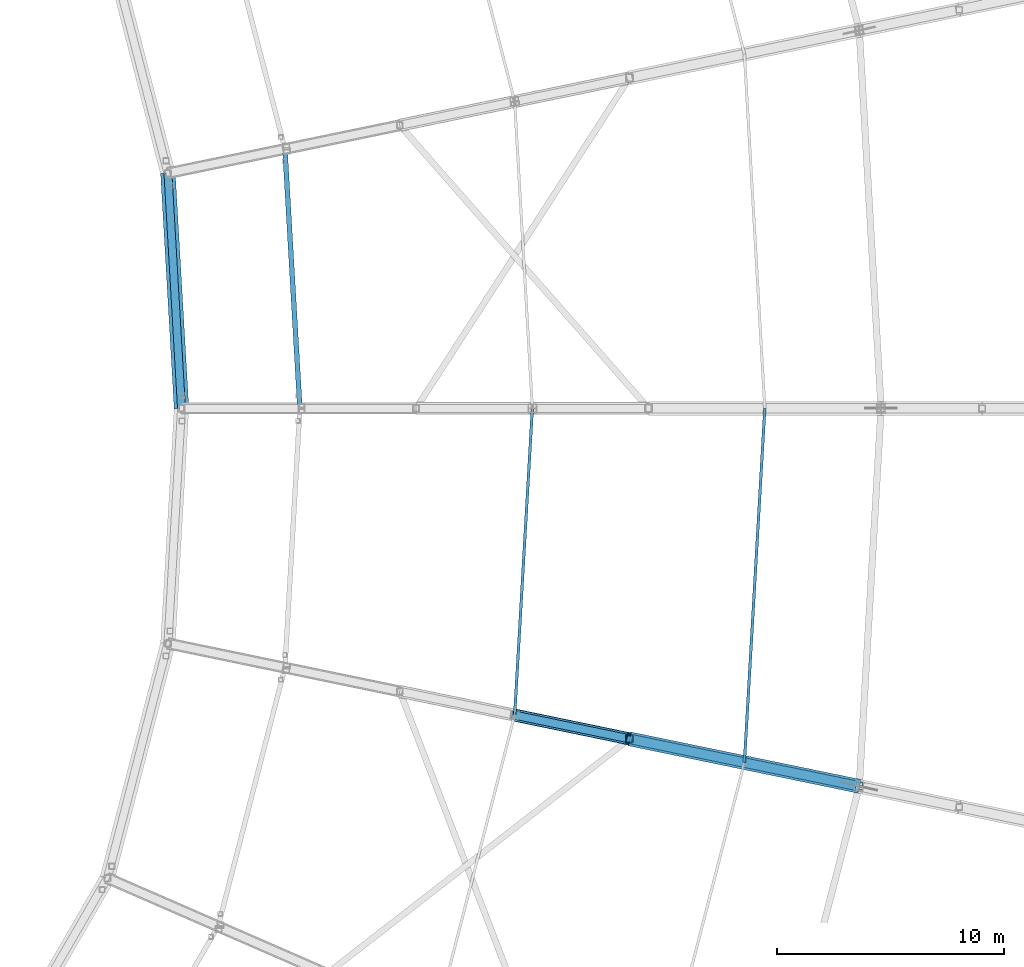
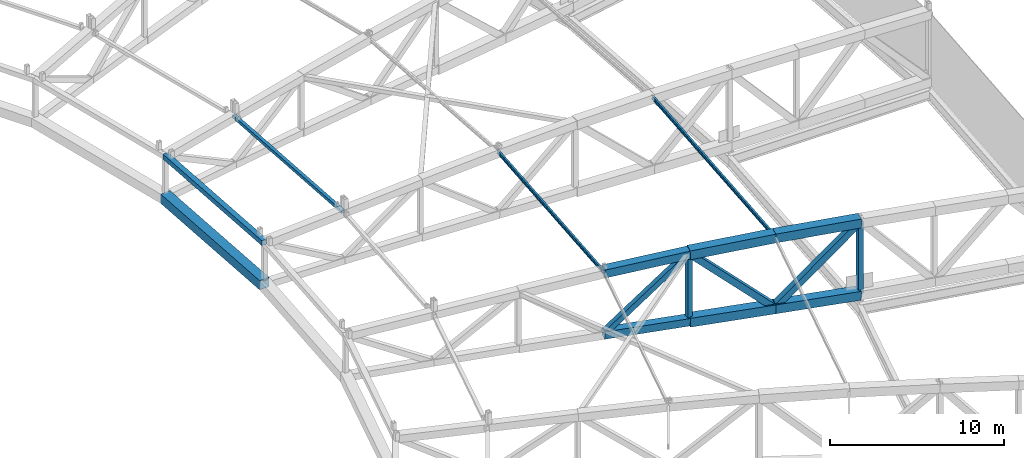
# One storey, part 56 of 162: 16 members.
"""IFC4 building model written with IfcOpenShell, lengths in metres."""

from ifc_helpers import new_model, si_unit, direction, frame, origin, origin_2d, place, context, subcontext, project, spatial, hollow_rectangle, i_section, extrude, material, material_profile, profile_set, type_object, element, save


model = new_model("IFC4")

# Units and contexts
model_context = context("Model", 3, precision=1e-05, world=origin(), true_north=direction((0.0, 1.0)))
body_context = subcontext(model_context, "Body", "Model", "MODEL_VIEW")
ifc_project = project(units=[si_unit("LENGTHUNIT", "METRE"), si_unit("AREAUNIT", "SQUARE_METRE"), si_unit("VOLUMEUNIT", "CUBIC_METRE"), si_unit("PLANEANGLEUNIT", "RADIAN"), si_unit("MASSUNIT", "GRAM", prefix="KILO")], contexts=[model_context])

# Site, building, storey
site_placement = place(None, origin())
site = spatial("IfcSite", under=ifc_project, at=site_placement, CompositionType="ELEMENT")
building_placement = place(site_placement, origin())
building = spatial("IfcBuilding", under=site, at=building_placement, Name="Kazemori Nagisa Stadium", CompositionType="ELEMENT")
storey_placement = place(building_placement, frame((0.0, 0.0, 36.719970703125)))
storey = spatial("IfcBuildingStorey", under=building, at=storey_placement, Name="RF", CompositionType="ELEMENT", Elevation=36.719970703125)

# Members
ifc_material_1 = material(Name="Steel STKR490", Category="steel")
ifc_material_profile_1 = material_profile(ifc_material_1, hollow_rectangle(XDim=0.360107421875, YDim=0.360107421875, WallThickness=0.013916015625, at=origin_2d()), Name="SHS-360x360x14")
ifc_profile_set_1 = profile_set([ifc_material_profile_1], Name="Steel STKR490")
member_type_1 = type_object("IfcMemberType", Name="Member_TB-SHS360", PredefinedType="BRACE", material=ifc_profile_set_1)
member_1_placement = place(storey_placement, frame((193.598388671875, 87.412841796875, 5.593994140625), z_axis=(-0.737268078289, 0.152353350539, -0.658197719014), x_axis=(-0.202370113198, -0.979309112224, 0.0)))
element("IfcMember", 1, at=member_1_placement, inside=storey, type_object=member_type_1, Name="Roof space truss diagonal RT-28-6", PredefinedType="BRACE", context=body_context, shape_type="SweptSolid", body=[
    extrude(hollow_rectangle(XDim=0.360107421875, YDim=0.360107421875, WallThickness=0.013916015625, at=origin_2d()), origin(), (0.0, 0.0, 1.0), 6.876220703125),
])
ifc_material_profile_2 = material_profile(ifc_material_1, hollow_rectangle(XDim=0.419921875, YDim=0.419921875, WallThickness=0.01611328125, at=origin_2d()), Name="SHS-420x420x16")
ifc_profile_set_2 = profile_set([ifc_material_profile_2], Name="Steel STKR490")
member_type_2 = type_object("IfcMemberType", Name="Member_TB-SHS420", PredefinedType="BRACE", material=ifc_profile_set_2)
member_2_placement = place(storey_placement, frame((203.737548828125, 85.31787109375, 5.56005859375), z_axis=(-0.711430048977, 0.147014030347, -0.687207508904), x_axis=(-0.202370113198, -0.979309112224, 0.0)))
element("IfcMember", 2, at=member_2_placement, inside=storey, type_object=member_type_2, Name="Roof space truss diagonal RT-28-4", PredefinedType="BRACE", context=body_context, shape_type="SweptSolid", body=[
    extrude(hollow_rectangle(XDim=0.419921875, YDim=0.419921875, WallThickness=0.01611328125, at=origin_2d()), origin(), (0.0, 0.0, 1.0), 7.1259765625),
])
member_3_placement = place(storey_placement, frame((198.66796875, 86.365478515625, 0.6630859375), z_axis=(-0.70910869603, 0.146500183288, 0.689711935166), x_axis=(-0.20232488246, -0.979318457876, 0.0)))
element("IfcMember", 3, at=member_3_placement, inside=storey, type_object=member_type_2, Name="Roof space truss diagonal RT-28-5", PredefinedType="BRACE", context=body_context, shape_type="SweptSolid", body=[
    extrude(hollow_rectangle(XDim=0.419921875, YDim=0.419921875, WallThickness=0.01611328125, at=origin_2d()), origin(), (0.0, 0.0, 1.0), 7.149169921875),
])
ifc_material_profile_3 = material_profile(ifc_material_1, hollow_rectangle(XDim=0.35009765625, YDim=0.35009765625, WallThickness=0.01611328125, at=origin_2d()), Name="SHS-350x350x16")
ifc_profile_set_3 = profile_set([ifc_material_profile_3], Name="Steel STKR490")
member_type_3 = type_object("IfcMemberType", Name="Member_TC-SHS350", PredefinedType="CHORD", material=ifc_profile_set_3)
member_4_placement = place(storey_placement, frame((173.824951171875, 102.0, 4.380126953125), z_axis=(-0.057588823188, 0.998339358579, 0.001432674639), x_axis=(-0.998340383154, -0.05758888229, 0.0)))
element("IfcMember", 4, at=member_4_placement, inside=storey, type_object=member_type_3, Name="Roof tension ring beam upper TR-01", PredefinedType="CHORD", context=body_context, shape_type="SweptSolid", body=[
    extrude(hollow_rectangle(XDim=0.35009765625, YDim=0.35009765625, WallThickness=0.01611328125, at=origin_2d()), origin(), (0.0, 0.0, 1.0), 10.39501953125),
])
ifc_material_profile_4 = material_profile(ifc_material_1, hollow_rectangle(XDim=0.52001953125, YDim=0.52001953125, WallThickness=0.01904296875, at=origin_2d()), Name="SHS-520x520x19")
ifc_profile_set_4 = profile_set([ifc_material_profile_4], Name="Steel STKR490")
member_type_4 = type_object("IfcMemberType", Name="Member_TC-SHS520", PredefinedType="CHORD", material=ifc_profile_set_4)
member_5_placement = place(storey_placement, frame((193.598388671875, 87.412841796875, 0.864990234375), z_axis=(-0.978556084389, 0.20221450316, 0.039208218744), x_axis=(-0.202370113198, -0.979309112224, 0.0)))
element("IfcMember", 5, at=member_5_placement, inside=storey, type_object=member_type_4, Name="Roof space truss bottom chord RT-28-6", PredefinedType="CHORD", context=body_context, shape_type="SweptSolid", body=[
    extrude(hollow_rectangle(XDim=0.52001953125, YDim=0.52001953125, WallThickness=0.01904296875, at=origin_2d()), origin(), (0.0, 0.0, 1.0), 5.1806640625),
])
ifc_material_profile_5 = material_profile(ifc_material_1, hollow_rectangle(XDim=0.56005859375, YDim=0.56005859375, WallThickness=0.02001953125, at=origin_2d()), Name="SHS-560x560x20")
ifc_profile_set_5 = profile_set([ifc_material_profile_5], Name="Steel STKR490")
member_type_5 = type_object("IfcMemberType", Name="Member_TC-SHS560", PredefinedType="CHORD", material=ifc_profile_set_5)
member_6_placement = place(storey_placement, frame((193.598388671875, 87.412841796875, 5.593994140625), z_axis=(-0.978607608838, 0.202225150471, -0.037843578613), x_axis=(-0.202370113198, -0.979309112224, 0.0)))
element("IfcMember", 6, at=member_6_placement, inside=storey, type_object=member_type_5, Name="Roof space truss top chord RT-28-6", PredefinedType="CHORD", context=body_context, shape_type="SweptSolid", body=[
    extrude(hollow_rectangle(XDim=0.56005859375, YDim=0.56005859375, WallThickness=0.02001953125, at=origin_2d()), origin(), (0.0, 0.0, 1.0), 5.180419921875),
])
ifc_material_profile_6 = material_profile(ifc_material_1, hollow_rectangle(XDim=0.6201171875, YDim=0.6201171875, WallThickness=0.02197265625, at=origin_2d()), Name="SHS-620x620x22")
ifc_profile_set_6 = profile_set([ifc_material_profile_6], Name="Steel STKR490")
member_type_6 = type_object("IfcMemberType", Name="Member_TC-SHS620", PredefinedType="CHORD", material=ifc_profile_set_6)
member_7_placement = place(storey_placement, frame((203.737548828125, 85.31787109375, 5.56005859375), z_axis=(-0.979198303699, 0.202347215082, 0.015042824892), x_axis=(-0.202370113198, -0.979309112224, 0.0)))
element("IfcMember", 7, at=member_7_placement, inside=storey, type_object=member_type_6, Name="Roof space truss top chord RT-28-4", PredefinedType="CHORD", context=body_context, shape_type="SweptSolid", body=[
    extrude(hollow_rectangle(XDim=0.6201171875, YDim=0.6201171875, WallThickness=0.02197265625, at=origin_2d()), origin(), (0.0, 0.0, 1.0), 5.17724609375),
])
member_8_placement = place(storey_placement, frame((203.737548828125, 85.31787109375, 0.47998046875), z_axis=(-0.978697070873, 0.202243637424, 0.035349039401), x_axis=(-0.202370113198, -0.979309112224, 0.0)))
element("IfcMember", 8, at=member_8_placement, inside=storey, type_object=member_type_6, Name="Roof space truss bottom chord RT-28-4", PredefinedType="CHORD", context=body_context, shape_type="SweptSolid", body=[
    extrude(hollow_rectangle(XDim=0.6201171875, YDim=0.6201171875, WallThickness=0.02197265625, at=origin_2d()), origin(), (0.0, 0.0, 1.0), 5.179931640625),
])
member_9_placement = place(storey_placement, frame((198.66796875, 86.365478515625, 5.637939453125), z_axis=(-0.979283172115, 0.202317592505, -0.008488850035), x_axis=(-0.20232488246, -0.979318457876, 0.0)))
element("IfcMember", 9, at=member_9_placement, inside=storey, type_object=member_type_6, Name="Roof space truss top chord RT-28-5", PredefinedType="CHORD", context=body_context, shape_type="SweptSolid", body=[
    extrude(hollow_rectangle(XDim=0.6201171875, YDim=0.6201171875, WallThickness=0.02197265625, at=origin_2d()), origin(), (0.0, 0.0, 1.0), 5.1767578125),
])
member_10_placement = place(storey_placement, frame((198.66796875, 86.365478515625, 0.6630859375), z_axis=(-0.978574422096, 0.202171166424, 0.038973322758), x_axis=(-0.20232488246, -0.979318457876, 0.0)))
element("IfcMember", 10, at=member_10_placement, inside=storey, type_object=member_type_6, Name="Roof space truss bottom chord RT-28-5", PredefinedType="CHORD", context=body_context, shape_type="SweptSolid", body=[
    extrude(hollow_rectangle(XDim=0.6201171875, YDim=0.6201171875, WallThickness=0.02197265625, at=origin_2d()), origin(), (0.0, 0.0, 1.0), 5.1806640625),
])
ifc_material_profile_7 = material_profile(ifc_material_1, hollow_rectangle(XDim=0.64990234375, YDim=0.64990234375, WallThickness=0.02490234375, at=origin_2d()), Name="SHS-650x650x25")
ifc_profile_set_7 = profile_set([ifc_material_profile_7], Name="Steel STKR490")
member_type_7 = type_object("IfcMemberType", Name="Member_TC-SHS650", PredefinedType="CHORD", material=ifc_profile_set_7)
member_11_placement = place(storey_placement, frame((173.824951171875, 102.0, 1.47998046875), z_axis=(-0.057588828858, 0.998339456878, 0.001362215365), x_axis=(-0.998340383154, -0.05758888229, 0.0)))
element("IfcMember", 11, at=member_11_placement, inside=storey, type_object=member_type_7, Name="Roof tension ring beam lower TR-01", PredefinedType="CHORD", context=body_context, shape_type="SweptSolid", body=[
    extrude(hollow_rectangle(XDim=0.64990234375, YDim=0.64990234375, WallThickness=0.02490234375, at=origin_2d()), origin(), (0.0, 0.0, 1.0), 10.39501953125),
])
ifc_material_2 = material(Name="Steel SN490B", Category="steel")
ifc_material_profile_8 = material_profile(ifc_material_2, i_section(OverallWidth=0.125, OverallDepth=0.25, WebThickness=0.006103515625, FlangeThickness=0.009033203125, FilletRadius=0.008056640625, at=origin_2d()), Name="H-250x125x6x9")
ifc_profile_set_8 = profile_set([ifc_material_profile_8], Name="Steel SN490B")
member_type_8 = type_object("IfcMemberType", Name="Member_TP-H250", PredefinedType="PURLIN", material=ifc_profile_set_8)
member_12_placement = place(storey_placement, frame((198.66796875, 86.365478515625, 5.637939453125), z_axis=(0.057603400433, 0.998339420934, -0.000498865714), x_axis=(-0.998339545161, 0.057603407601, 0.0)))
element("IfcMember", 12, at=member_12_placement, inside=storey, type_object=member_type_8, Name="Roof purlin TP-H250 B28-P4", PredefinedType="PURLIN", context=body_context, shape_type="SweptSolid", body=[
    extrude(i_section(OverallWidth=0.125, OverallDepth=0.25, WebThickness=0.006103515625, FlangeThickness=0.009033203125, FilletRadius=0.008056640625, at=origin_2d()), origin(), (0.0, 0.0, 1.0), 15.66064453125),
])
member_13_placement = place(storey_placement, frame((188.52880859375, 88.46044921875, 5.39794921875), z_axis=(0.057605456355, 0.998338562049, -0.001314124473), x_axis=(-0.998339424078, 0.057605506096, 0.0)))
element("IfcMember", 13, at=member_13_placement, inside=storey, type_object=member_type_8, Name="Roof purlin TP-H250 B28-P6", PredefinedType="PURLIN", context=body_context, shape_type="SweptSolid", body=[
    extrude(i_section(OverallWidth=0.125, OverallDepth=0.25, WebThickness=0.006103515625, FlangeThickness=0.009033203125, FilletRadius=0.008056640625, at=origin_2d()), origin(), (0.0, 0.0, 1.0), 13.56201171875),
])
ifc_material_profile_9 = material_profile(ifc_material_1, hollow_rectangle(XDim=0.219970703125, YDim=0.219970703125, WallThickness=0.009033203125, at=origin_2d()), Name="SHS-220x220x9")
ifc_profile_set_9 = profile_set([ifc_material_profile_9], Name="Steel STKR490")
member_type_9 = type_object("IfcMemberType", Name="Member_TP-SHS220", PredefinedType="PURLIN", material=ifc_profile_set_9)
member_14_placement = place(storey_placement, frame((179.050048828125, 102.0, 4.72998046875), z_axis=(-0.057608315954, 0.998338272441, 0.001405600315), x_axis=(-0.998339258657, -0.057608372862, 0.0)))
element("IfcMember", 14, at=member_14_placement, inside=storey, type_object=member_type_9, Name="Roof purlin TP-SHS220 B01-P8", PredefinedType="PURLIN", context=body_context, shape_type="SweptSolid", body=[
    extrude(hollow_rectangle(XDim=0.219970703125, YDim=0.219970703125, WallThickness=0.009033203125, at=origin_2d()), origin(), (0.0, 0.0, 1.0), 11.463623046875),
])
ifc_material_profile_10 = material_profile(ifc_material_1, hollow_rectangle(XDim=0.320068359375, YDim=0.320068359375, WallThickness=0.011962890625, at=origin_2d()), Name="SHS-320x320x12")
ifc_profile_set_10 = profile_set([ifc_material_profile_10], Name="Steel STKR490")
member_type_10 = type_object("IfcMemberType", Name="Member_TS-SHS320", PredefinedType="STRUT", material=ifc_profile_set_10)
member_15_placement = place(storey_placement, frame((203.737548828125, 85.31787109375, 0.47998046875), z_axis=(0.0, 0.0, 1.0), x_axis=(1.0, 0.0, 0.0)))
element("IfcMember", 15, at=member_15_placement, inside=storey, type_object=member_type_10, Name="Roof space truss strut RT-28-4", PredefinedType="STRUT", context=body_context, shape_type="SweptSolid", body=[
    extrude(hollow_rectangle(XDim=0.320068359375, YDim=0.320068359375, WallThickness=0.011962890625, at=origin_2d()), origin(), (0.0, 0.0, 1.0), 5.080078125),
])
member_16_placement = place(storey_placement, frame((193.598388671875, 87.412841796875, 0.864990234375), z_axis=(0.0, 0.0, 1.0), x_axis=(1.0, 0.0, 0.0)))
element("IfcMember", 16, at=member_16_placement, inside=storey, type_object=member_type_10, Name="Roof space truss strut RT-28-6", PredefinedType="STRUT", context=body_context, shape_type="SweptSolid", body=[
    extrude(hollow_rectangle(XDim=0.320068359375, YDim=0.320068359375, WallThickness=0.011962890625, at=origin_2d()), origin(), (0.0, 0.0, 1.0), 4.72900390625),
])

save(model, "model.ifc")
